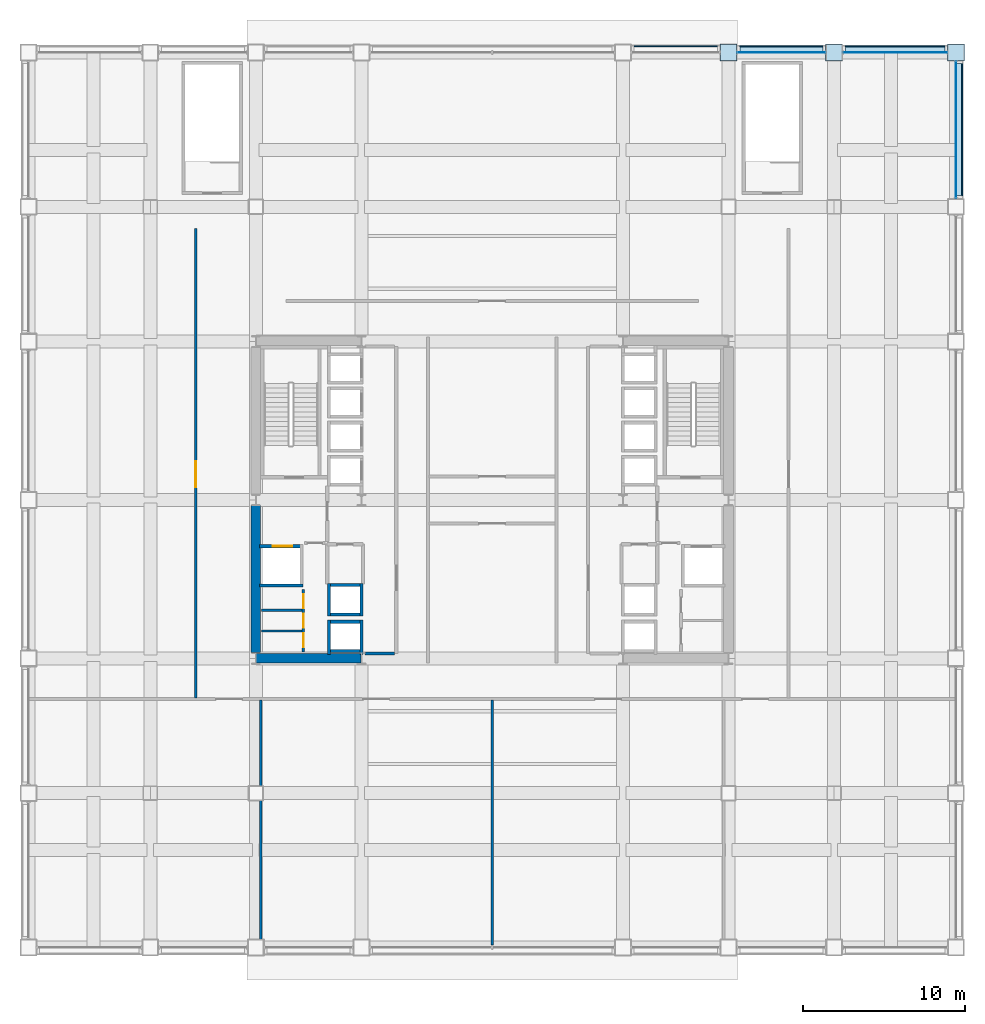
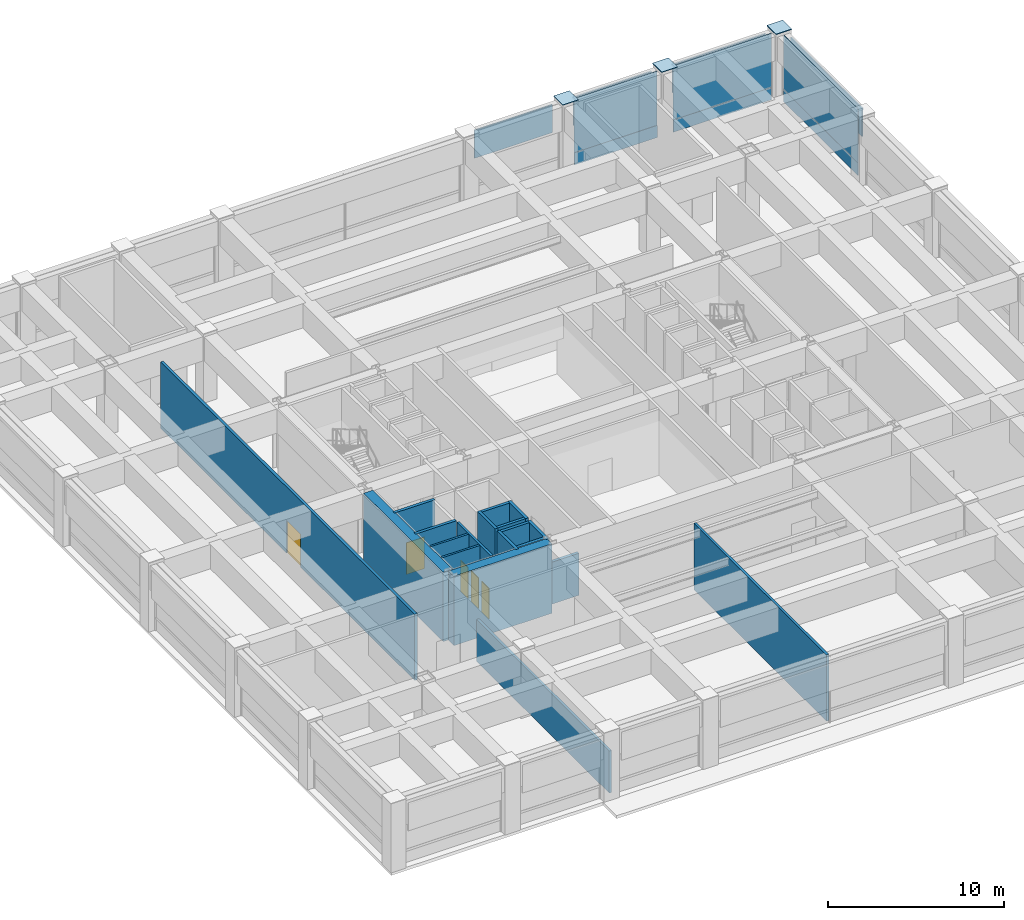
# One storey, part 26 of 30: 19 walls, 16 plates, 5 doors, 5 openings, 3 elements without a shape of their own.
"""IFC4 building model written with IfcOpenShell, lengths in metres."""

from ifc_helpers import new_model, si_unit, direction, frame, frame_2d, origin, origin_2d, place, context, subcontext, project, spatial, rectangle, extrude, material, layer, layer_set, type_object, element, fill, aggregate, save


model = new_model("IFC4")

# Units and contexts
model_context = context("Model", 3, precision=1e-05, world=origin(), true_north=direction((0.0, 1.0)))
body_context = subcontext(model_context, "Body", "Model", "MODEL_VIEW")
ifc_project = project(units=[si_unit("LENGTHUNIT", "METRE"), si_unit("AREAUNIT", "SQUARE_METRE"), si_unit("VOLUMEUNIT", "CUBIC_METRE"), si_unit("PLANEANGLEUNIT", "RADIAN"), si_unit("MASSUNIT", "GRAM", prefix="KILO")], contexts=[model_context])

# Site, building, storey
site_placement = place(None, origin())
site = spatial("IfcSite", under=ifc_project, at=site_placement, CompositionType="ELEMENT")
building_placement = place(site_placement, origin())
building = spatial("IfcBuilding", under=site, at=building_placement, Name="Brelmoor Portico Tower", CompositionType="ELEMENT")
storey_placement = place(building_placement, frame((0.0, 0.0, 19.199951171875)))
storey = spatial("IfcBuildingStorey", under=building, at=storey_placement, Name="L04", CompositionType="ELEMENT", Elevation=19.199951171875)

# Plates
ifc_material_1 = material(Name="Steel Q355B", Category="steel")
ifc_layer_1 = layer(ifc_material_1, 0.044921875)
ifc_layer_set_1 = layer_set([ifc_layer_1], Name="Steel Q355B")
plate_type_1 = type_object("IfcPlateType", Name="PT-CAP-650", PredefinedType="SHEET", material=ifc_layer_set_1)
for number, where, z_axis, x_axis, name in (
    (1, (14.550048828125, 27.550048828125, 4.800048828125), (0.0, 0.0, 1.0), (1.0, 0.0, 0.0), "L04 Perimeter Mega-Column PN14 Welded Head Cap Plate"),
    (2, (21.050048828125, 27.550048828125, 4.800048828125), (0.0, 0.0, 1.0), (1.0, 0.0, 0.0), "L04 Perimeter Mega-Column PN15 Welded Head Cap Plate"),
    (3, (28.550048828125, 27.550048828125, 4.800048828125), (0.0, 0.0, 1.0), (1.0, 0.0, 0.0), "L04 Perimeter Mega-Column PN16 Welded Head Cap Plate"),
):
    element("IfcPlate", number, at=place(storey_placement, frame(where, z_axis=z_axis, x_axis=x_axis)), inside=storey, type_object=plate_type_1, Name=name, PredefinedType="SHEET", context=body_context, shape_type="SweptSolid", body=[
        extrude(rectangle(XDim=1.0400390625, YDim=1.0400390625, at=origin_2d()), origin(), (0.0, 0.0, 1.0), 0.0400390625),
    ])

# Curtain wall, plate
ifc_material_2 = material(Name="Anodised Aluminium Alloy 6063-T6", Category="aluminium")
ifc_layer_2 = layer(ifc_material_2, 0.179931640625)
ifc_layer_set_2 = layer_set([ifc_layer_2], Name="Anodised Aluminium Alloy 6063-T6")
curtain_wall_type = type_object("IfcCurtainWallType", Name="CW-PODIUM-ARCH", PredefinedType="NOTDEFINED", material=ifc_layer_set_2)
curtain_wall_1_placement = place(storey_placement, origin())
curtain_wall_1 = element("IfcCurtainWall", 4, at=curtain_wall_1_placement, inside=storey, type_object=curtain_wall_type, Name="L04 Curtain Wall CW-L04-02-6", PredefinedType="NOTDEFINED")
ifc_material_3 = material(Name="Double-Silver Low-E Insulated Glazing", Category="glass")
ifc_layer_3 = layer(ifc_material_3, 0.035888671875)
ifc_layer_set_3 = layer_set([ifc_layer_3], Name="Double-Silver Low-E Insulated Glazing")
plate_type_2 = type_object("IfcPlateType", Name="PT-CW-GLASS", PredefinedType="CURTAIN_PANEL", material=ifc_layer_set_3)
plate_1_placement = place(storey_placement, frame((17.800048828125, 27.550048828125, 0.85009765625), z_axis=(0.0, 0.0, 1.0), x_axis=(1.0, 0.0, 0.0)))
plate_1 = element("IfcPlate", 5, at=plate_1_placement, type_object=plate_type_2, Name="CW-L04-02-6 Vision Glass Panel 00", PredefinedType="CURTAIN_PANEL", context=body_context, shape_type="SweptSolid", body=[
    extrude(rectangle(XDim=5.449951171875, YDim=0.035888671875, at=origin_2d()), origin(), (0.0, 0.0, 1.0), 3.75),
])

curtain_wall_2_placement = place(storey_placement, origin())
curtain_wall_2 = element("IfcCurtainWall", 6, at=curtain_wall_2_placement, inside=storey, type_object=curtain_wall_type, Name="L04 Curtain Wall CW-L04-02-7", PredefinedType="NOTDEFINED")
plate_2_placement = place(storey_placement, frame((24.800048828125, 27.550048828125, 0.85009765625), z_axis=(0.0, 0.0, 1.0), x_axis=(1.0, 0.0, 0.0)))
plate_2 = element("IfcPlate", 7, at=plate_2_placement, type_object=plate_type_2, Name="CW-L04-02-7 Vision Glass Panel 00", PredefinedType="CURTAIN_PANEL", context=body_context, shape_type="SweptSolid", body=[
    extrude(rectangle(XDim=6.449951171875, YDim=0.035888671875, at=origin_2d()), origin(), (0.0, 0.0, 1.0), 3.75),
])

curtain_wall_3_placement = place(storey_placement, origin())
curtain_wall_3 = element("IfcCurtainWall", 8, at=curtain_wall_3_placement, inside=storey, type_object=curtain_wall_type, Name="L04 Curtain Wall CW-L04-04-6", PredefinedType="NOTDEFINED")
plate_3_placement = place(storey_placement, frame((28.550048828125, 22.800048828125, 0.85009765625), z_axis=(0.0, 0.0, 1.0), x_axis=(0.0, 1.0, 0.0)))
plate_3 = element("IfcPlate", 9, at=plate_3_placement, type_object=plate_type_2, Name="CW-L04-04-6 Vision Glass Panel 00", PredefinedType="CURTAIN_PANEL", context=body_context, shape_type="SweptSolid", body=[
    extrude(rectangle(XDim=8.449951171875, YDim=0.035888671875, at=origin_2d()), origin(), (0.0, 0.0, 1.0), 3.75),
])

# Plate
ifc_material_4 = material(Name="Pale Champagne Anodised Aluminium Panel", Category="aluminium")
ifc_layer_4 = layer(ifc_material_4, 0.050048828125)
ifc_layer_set_4 = layer_set([ifc_layer_4], Name="Pale Champagne Anodised Aluminium Panel")
plate_type_3 = type_object("IfcPlateType", Name="PT-CW-SPANDREL", PredefinedType="SHEET", material=ifc_layer_set_4)
plate_4_placement = place(storey_placement, frame((17.800048828125, 27.550048828125, 0.0), z_axis=(0.0, 0.0, 1.0), x_axis=(1.0, 0.0, 0.0)))
plate_4 = element("IfcPlate", 10, at=plate_4_placement, type_object=plate_type_3, Name="CW-L04-02-6 Spandrel Panel 00", PredefinedType="SHEET", context=body_context, shape_type="SweptSolid", body=[
    extrude(rectangle(XDim=5.449951171875, YDim=0.050048828125, at=origin_2d()), origin(), (0.0, 0.0, 1.0), 0.85009765625),
])

aggregate(curtain_wall_1, [plate_4, plate_1])

plate_5_placement = place(storey_placement, frame((24.800048828125, 27.550048828125, 0.0), z_axis=(0.0, 0.0, 1.0), x_axis=(1.0, 0.0, 0.0)))
plate_5 = element("IfcPlate", 11, at=plate_5_placement, type_object=plate_type_3, Name="CW-L04-02-7 Spandrel Panel 00", PredefinedType="SHEET", context=body_context, shape_type="SweptSolid", body=[
    extrude(rectangle(XDim=6.449951171875, YDim=0.050048828125, at=origin_2d()), origin(), (0.0, 0.0, 1.0), 0.85009765625),
])

aggregate(curtain_wall_2, [plate_5, plate_2])

plate_6_placement = place(storey_placement, frame((28.550048828125, 22.800048828125, 0.0), z_axis=(0.0, 0.0, 1.0), x_axis=(0.0, 1.0, 0.0)))
plate_6 = element("IfcPlate", 12, at=plate_6_placement, type_object=plate_type_3, Name="CW-L04-04-6 Spandrel Panel 00", PredefinedType="SHEET", context=body_context, shape_type="SweptSolid", body=[
    extrude(rectangle(XDim=8.449951171875, YDim=0.050048828125, at=origin_2d()), origin(), (0.0, 0.0, 1.0), 0.85009765625),
])

aggregate(curtain_wall_3, [plate_6, plate_3])

# Plates
ifc_material_5 = material(Name="Powder-Coated Aluminium Shuttered Jalousie Louvre", Category="aluminium")
ifc_layer_5 = layer(ifc_material_5, 0.06005859375)
ifc_layer_set_5 = layer_set([ifc_layer_5], Name="Powder-Coated Aluminium Shuttered Jalousie Louvre")
plate_type_4 = type_object("IfcPlateType", Name="PT-JALOUSIE-SHUTTER", PredefinedType="SHEET", material=ifc_layer_set_5)
for number, where, z_axis, x_axis, name in (
    (13, (11.300048828125, 27.929931640625, 2.4501953125), (0.0, 0.0, 1.0), (1.0, 0.0, 0.0), "CW-L04-02-5 Perforated Jalousie Solar Screen"),
    (14, (17.800048828125, 27.929931640625, 2.4501953125), (0.0, 0.0, 1.0), (1.0, 0.0, 0.0), "CW-L04-02-6 Perforated Jalousie Solar Screen"),
):
    element("IfcPlate", number, at=place(storey_placement, frame(where, z_axis=z_axis, x_axis=x_axis)), inside=storey, type_object=plate_type_4, Name=name, PredefinedType="SHEET", context=body_context, shape_type="SweptSolid", body=[
        extrude(rectangle(XDim=5.1201171875, YDim=0.06494140625, at=origin_2d()), origin(), (0.0, 0.0, 1.0), 1.949951171875),
    ])
plate_7_placement = place(storey_placement, frame((24.800048828125, 27.929931640625, 2.4501953125), z_axis=(0.0, 0.0, 1.0), x_axis=(1.0, 0.0, 0.0)))
element("IfcPlate", 15, at=plate_7_placement, inside=storey, type_object=plate_type_4, Name="CW-L04-02-7 Perforated Jalousie Solar Screen", PredefinedType="SHEET", context=body_context, shape_type="SweptSolid", body=[
    extrude(rectangle(XDim=6.1201171875, YDim=0.06494140625, at=origin_2d()), origin(), (0.0, 0.0, 1.0), 1.949951171875),
])
plate_8_placement = place(storey_placement, frame((28.929931640625, 22.800048828125, 2.4501953125), z_axis=(0.0, 0.0, 1.0), x_axis=(0.0, 1.0, 0.0)))
element("IfcPlate", 16, at=plate_8_placement, inside=storey, type_object=plate_type_4, Name="CW-L04-04-6 Perforated Jalousie Solar Screen", PredefinedType="SHEET", context=body_context, shape_type="SweptSolid", body=[
    extrude(rectangle(XDim=8.1201171875, YDim=0.06494140625, at=origin_2d()), origin(), (0.0, 0.0, 1.0), 1.949951171875),
])
ifc_material_6 = material(Name="Pale Champagne Perforated Aluminium Solar Screen", Category="aluminium")
ifc_layer_6 = layer(ifc_material_6, 0.054931640625)
ifc_layer_set_6 = layer_set([ifc_layer_6], Name="Pale Champagne Perforated Aluminium Solar Screen")
plate_type_5 = type_object("IfcPlateType", Name="PT-SOLAR-LOUVRE", PredefinedType="SHEET", material=ifc_layer_set_6)
plate_9_placement = place(storey_placement, frame((17.800048828125, 27.760009765625, 4.2900390625), z_axis=(0.0, 0.0, 1.0), x_axis=(1.0, 0.0, 0.0)))
element("IfcPlate", 17, at=plate_9_placement, inside=storey, type_object=plate_type_5, Name="CW-L04-02-6 Caribbean Brise-Soleil Solar Screen", PredefinedType="SHEET", context=body_context, shape_type="SweptSolid", body=[
    extrude(rectangle(XDim=5.1201171875, YDim=0.4599609375, at=origin_2d()), origin(), (0.0, 0.0, 1.0), 0.139892578125),
])
plate_10_placement = place(storey_placement, frame((24.800048828125, 27.760009765625, 4.2900390625), z_axis=(0.0, 0.0, 1.0), x_axis=(1.0, 0.0, 0.0)))
element("IfcPlate", 18, at=plate_10_placement, inside=storey, type_object=plate_type_5, Name="CW-L04-02-7 Caribbean Brise-Soleil Solar Screen", PredefinedType="SHEET", context=body_context, shape_type="SweptSolid", body=[
    extrude(rectangle(XDim=6.1201171875, YDim=0.4599609375, at=origin_2d()), origin(), (0.0, 0.0, 1.0), 0.139892578125),
])
plate_11_placement = place(storey_placement, frame((28.760009765625, 22.800048828125, 4.2900390625), z_axis=(0.0, 0.0, 1.0), x_axis=(0.0, 1.0, 0.0)))
element("IfcPlate", 19, at=plate_11_placement, inside=storey, type_object=plate_type_5, Name="CW-L04-04-6 Caribbean Brise-Soleil Solar Screen", PredefinedType="SHEET", context=body_context, shape_type="SweptSolid", body=[
    extrude(rectangle(XDim=8.1201171875, YDim=0.4599609375, at=origin_2d()), origin(), (0.0, 0.0, 1.0), 0.139892578125),
])

# Walls
ifc_material_7 = material(Name="Concrete C60", Category="concrete")
ifc_layer_7 = layer(ifc_material_7, 0.60009765625)
ifc_layer_set_7 = layer_set([ifc_layer_7], Name="Concrete C60")
wall_type_1 = type_object("IfcWallType", Name="WL-CORE-600", PredefinedType="SHEAR", material=ifc_layer_set_7)
wall_1_placement = place(storey_placement, frame((-14.530029296875, -9.75, -0.219970703125), z_axis=(0.0, 0.0, 1.0), x_axis=(1.0, 0.0, 0.0)))
element("IfcWall", 20, at=wall_1_placement, inside=storey, type_object=wall_type_1, Name="L04 WC South Shear Wall", PredefinedType="SHEAR", context=body_context, shape_type="SweptSolid", body=[
    extrude(rectangle(XDim=6.4599609375, YDim=0.60009765625, at=frame_2d((3.22998046875, 0.0))), origin(), (0.0, 0.0, 1.0), 4.820068359375),
])
wall_2_placement = place(storey_placement, frame((-14.550048828125, -9.39990234375, -0.219970703125), z_axis=(0.0, 0.0, 1.0), x_axis=(0.0, 1.0, 0.0)))
element("IfcWall", 21, at=wall_2_placement, inside=storey, type_object=wall_type_1, Name="L04 WC Outer South Shear Wall", PredefinedType="SHEAR", context=body_context, shape_type="SweptSolid", body=[
    extrude(rectangle(XDim=9.0498046875, YDim=0.60009765625, at=frame_2d((4.52490234375, 0.0))), origin(), (0.0, 0.0, 1.0), 4.820068359375),
])
ifc_material_8 = material(Name="Insulated Stud Suite Partition", Category="gypsum")
ifc_layer_8 = layer(ifc_material_8, 0.139892578125)
ifc_layer_set_8 = layer_set([ifc_layer_8], Name="Insulated Stud Suite Partition")
wall_type_2 = type_object("IfcWallType", Name="WL-PART-140", PredefinedType="PARTITIONING", material=ifc_layer_set_8)
for number, where, z_axis, x_axis, name in (
    (22, (-11.699951171875, -8.066650390625, 0.0), (0.0, 0.0, 1.0), (-1.0, 0.0, 0.0), "L04 W Core WC Divider 1"),
    (23, (-11.699951171875, -6.783203125, 0.0), (0.0, 0.0, 1.0), (-1.0, 0.0, 0.0), "L04 W Core WC Divider 2"),
):
    element("IfcWall", number, at=place(storey_placement, frame(where, z_axis=z_axis, x_axis=x_axis)), inside=storey, type_object=wall_type_2, Name=name, PredefinedType="PARTITIONING", context=body_context, shape_type="SweptSolid", body=[
        extrude(rectangle(XDim=2.5, YDim=0.139892578125, at=frame_2d((1.25, 0.0))), origin(), (0.0, 0.0, 1.0), 4.60009765625),
    ])

# Wall, openings, doors
ifc_material_9 = material(Name="Twin-Frame Acoustic Partition", Category="gypsum")
ifc_layer_9 = layer(ifc_material_9, 0.159912109375)
ifc_layer_set_9 = layer_set([ifc_layer_9], Name="Twin-Frame Acoustic Partition")
wall_type_3 = type_object("IfcWallType", Name="WL-PART-160", PredefinedType="PARTITIONING", material=ifc_layer_set_9)
wall_3_placement = place(storey_placement, frame((-11.6201171875, -9.35009765625, 0.0), z_axis=(0.0, 0.0, 1.0), x_axis=(0.0, 1.0, 0.0)))
wall_3 = element("IfcWall", 24, at=wall_3_placement, inside=storey, type_object=wall_type_3, Name="L04 W Core Service Front Wall", PredefinedType="PARTITIONING", context=body_context, shape_type="SweptSolid", body=[
    extrude(rectangle(XDim=3.85009765625, YDim=0.159912109375, at=frame_2d((1.925048828125, 0.0))), origin(), (0.0, 0.0, 1.0), 4.60009765625),
])
opening_1_placement = place(wall_3_placement, frame((0.300048828125, 0.0, 0.0)))
opening_1 = element("IfcOpeningElement", 25, at=opening_1_placement, cuts=wall_3, Name="Opening D-WC1", PredefinedType="OPENING", context=body_context, shape_type="SweptSolid", body=[
    extrude(rectangle(XDim=0.85009765625, YDim=2.1201171875, at=frame_2d((0.425048828125, 1.06005859375))), frame((0.0, 0.08984375, 0.0), z_axis=(0.0, -1.0, 0.0), x_axis=(1.0, 0.0, 0.0)), (0.0, 0.0, 1.0), 0.179931640625),
])
opening_2_placement = place(wall_3_placement, frame((1.5, 0.0, 0.0)))
opening_2 = element("IfcOpeningElement", 26, at=opening_2_placement, cuts=wall_3, Name="Opening D-WC1", PredefinedType="OPENING", context=body_context, shape_type="SweptSolid", body=[
    extrude(rectangle(XDim=0.85009765625, YDim=2.1201171875, at=frame_2d((0.425048828125, 1.06005859375))), frame((0.0, 0.08984375, 0.0), z_axis=(0.0, -1.0, 0.0), x_axis=(1.0, 0.0, 0.0)), (0.0, 0.0, 1.0), 0.179931640625),
])
opening_3_placement = place(wall_3_placement, frame((2.699951171875, 0.0, 0.0)))
opening_3 = element("IfcOpeningElement", 27, at=opening_3_placement, cuts=wall_3, Name="Opening D-WC1", PredefinedType="OPENING", context=body_context, shape_type="SweptSolid", body=[
    extrude(rectangle(XDim=0.85009765625, YDim=2.1201171875, at=frame_2d((0.425048828125, 1.06005859375))), frame((0.0, 0.08984375, 0.0), z_axis=(0.0, -1.0, 0.0), x_axis=(1.0, 0.0, 0.0)), (0.0, 0.0, 1.0), 0.179931640625),
])
ifc_material_10 = material(Name="Moisture-Resistant Laminate WC Door", Category="timber")
door_type_1 = type_object("IfcDoorType", Name="DR-WC-850", OperationType="NOTDEFINED", PredefinedType="DOOR", material=ifc_material_10)
door_1_placement = place(opening_1_placement, origin())
door_1 = element("IfcDoor", 28, at=door_1_placement, inside=storey, type_object=door_type_1, Name="D-0209 L04 W Accessible WC Door", OperationType="SINGLE_SWING_RIGHT", OverallHeight=2.1201171875, OverallWidth=0.85009765625, PredefinedType="DOOR", context=body_context, shape_type="SweptSolid", body=[
    extrude(rectangle(XDim=0.85009765625, YDim=2.1201171875, at=frame_2d((0.425048828125, 1.06005859375))), frame((0.0, 0.02490234375, 0.0), z_axis=(0.0, -1.0, 0.0), x_axis=(1.0, 0.0, 0.0)), (0.0, 0.0, 1.0), 0.050048828125),
])
fill(opening_1, door_1)
door_2_placement = place(opening_2_placement, origin())
door_2 = element("IfcDoor", 29, at=door_2_placement, inside=storey, type_object=door_type_1, Name="D-0210 L04 W Staff WC Door", OperationType="SINGLE_SWING_LEFT", OverallHeight=2.1201171875, OverallWidth=0.85009765625, PredefinedType="DOOR", context=body_context, shape_type="SweptSolid", body=[
    extrude(rectangle(XDim=0.85009765625, YDim=2.1201171875, at=frame_2d((0.425048828125, 1.06005859375))), frame((0.0, 0.02490234375, 0.0), z_axis=(0.0, -1.0, 0.0), x_axis=(1.0, 0.0, 0.0)), (0.0, 0.0, 1.0), 0.050048828125),
])
fill(opening_2, door_2)
door_3_placement = place(opening_3_placement, origin())
door_3 = element("IfcDoor", 30, at=door_3_placement, inside=storey, type_object=door_type_1, Name="D-0211 L04 W Cleaner Store Door", OperationType="SINGLE_SWING_RIGHT", OverallHeight=2.1201171875, OverallWidth=0.85009765625, PredefinedType="DOOR", context=body_context, shape_type="SweptSolid", body=[
    extrude(rectangle(XDim=0.85009765625, YDim=2.1201171875, at=frame_2d((0.425048828125, 1.06005859375))), frame((0.0, 0.02490234375, 0.0), z_axis=(0.0, -1.0, 0.0), x_axis=(1.0, 0.0, 0.0)), (0.0, 0.0, 1.0), 0.050048828125),
])
fill(opening_3, door_3)

# Walls
wall_4_placement = place(storey_placement, frame((-14.260009765625, -27.39990234375, 0.0), z_axis=(0.0, 0.0, 1.0), x_axis=(0.0, 1.0, 0.0)))
element("IfcWall", 31, at=wall_4_placement, inside=storey, type_object=wall_type_3, Name="L04 South Bridge Divider 1", PredefinedType="PARTITIONING", context=body_context, shape_type="SweptSolid", body=[
    extrude(rectangle(XDim=15.079833984375, YDim=0.159912109375, at=frame_2d((7.5400390625, 0.0))), origin(), (0.0, 0.0, 1.0), 2.920166015625),
])
wall_5_placement = place(storey_placement, frame((0.0, -27.39990234375, 0.0), z_axis=(0.0, 0.0, 1.0), x_axis=(0.0, 1.0, 0.0)))
element("IfcWall", 32, at=wall_5_placement, inside=storey, type_object=wall_type_3, Name="L04 South Bridge Divider 2", PredefinedType="PARTITIONING", context=body_context, shape_type="SweptSolid", body=[
    extrude(rectangle(XDim=15.079833984375, YDim=0.159912109375, at=frame_2d((7.5400390625, 0.0))), origin(), (0.0, 0.0, 1.0), 4.60009765625),
])

# Wall, opening, door
ifc_material_11 = material(Name="Acoustic Corridor Fire Partition", Category="gypsum")
ifc_layer_10 = layer(ifc_material_11, 0.179931640625)
ifc_layer_set_10 = layer_set([ifc_layer_10], Name="Acoustic Corridor Fire Partition")
wall_type_4 = type_object("IfcWallType", Name="WL-PART-180", PredefinedType="PARTITIONING", material=ifc_layer_set_10)
wall_6_placement = place(storey_placement, frame((-18.25, -12.199951171875, 0.0), z_axis=(0.0, 0.0, 1.0), x_axis=(0.0, 1.0, 0.0)))
wall_6 = element("IfcWall", 33, at=wall_6_placement, inside=storey, type_object=wall_type_4, Name="L04 W Bridge Wing Wall", PredefinedType="PARTITIONING", context=body_context, shape_type="SweptSolid", body=[
    extrude(rectangle(XDim=28.89990234375, YDim=0.179931640625, at=frame_2d((14.449951171875, 0.0))), origin(), (0.0, 0.0, 1.0), 4.60009765625),
])
opening_4_placement = place(wall_6_placement, frame((13.0, 0.0, 0.0)))
opening_4 = element("IfcOpeningElement", 34, at=opening_4_placement, cuts=wall_6, Name="Opening D-PB1", PredefinedType="OPENING", context=body_context, shape_type="SweptSolid", body=[
    extrude(rectangle(XDim=1.60009765625, YDim=2.300048828125, at=frame_2d((0.800048828125, 1.14990234375))), frame((0.0, 0.099853515625, 0.0), z_axis=(0.0, -1.0, 0.0), x_axis=(1.0, 0.0, 0.0)), (0.0, 0.0, 1.0), 0.199951171875),
])
ifc_material_12 = material(Name="Double-Leaf Anodised Aluminium Hall Door", Category="aluminium")
door_type_2 = type_object("IfcDoorType", Name="DR-PUBLIC-1600", OperationType="NOTDEFINED", PredefinedType="DOOR", material=ifc_material_12)
door_4_placement = place(opening_4_placement, origin())
door_4 = element("IfcDoor", 35, at=door_4_placement, inside=storey, type_object=door_type_2, Name="D-0204 L04 W Engineering Studio Door", OperationType="DOUBLE_DOOR_SINGLE_SWING", OverallHeight=2.300048828125, OverallWidth=1.60009765625, PredefinedType="DOOR", context=body_context, shape_type="SweptSolid", body=[
    extrude(rectangle(XDim=1.60009765625, YDim=2.300048828125, at=frame_2d((0.800048828125, 1.14990234375))), frame((0.0, 0.02490234375, 0.0), z_axis=(0.0, -1.0, 0.0), x_axis=(1.0, 0.0, 0.0)), (0.0, 0.0, 1.0), 0.050048828125),
])
fill(opening_4, door_4)

# Walls
ifc_material_13 = material(Name="Double-Stud Gypsum Fire Partition", Category="gypsum")
ifc_layer_11 = layer(ifc_material_13, 0.199951171875)
ifc_layer_set_11 = layer_set([ifc_layer_11], Name="Double-Stud Gypsum Fire Partition")
wall_type_5 = type_object("IfcWallType", Name="WL-PART-200", PredefinedType="PARTITIONING", material=ifc_layer_set_11)
wall_7_placement = place(storey_placement, frame((-6.02001953125, -9.449951171875, 0.0), z_axis=(0.0, 0.0, 1.0), x_axis=(-1.0, 0.0, 0.0)))
element("IfcWall", 36, at=wall_7_placement, inside=storey, type_object=wall_type_5, Name="L04 W Lift Lobby South End Wall", PredefinedType="PARTITIONING", context=body_context, shape_type="SweptSolid", body=[
    extrude(rectangle(XDim=1.800048828125, YDim=0.199951171875, at=frame_2d((0.89990234375, 0.0))), origin(), (0.0, 0.0, 1.0), 2.920166015625),
])
ifc_material_14 = material(Name="Precast Concrete C40", Category="concrete")
ifc_layer_12 = layer(ifc_material_14, 0.18994140625)
ifc_layer_set_12 = layer_set([ifc_layer_12], Name="Precast Concrete C40")
wall_type_6 = type_object("IfcWallType", Name="WL-SHAFT-180", PredefinedType="SOLIDWALL", material=ifc_layer_set_12)
for number, where, z_axis, x_axis, name in (
    (37, (-8.044921875, -9.52001953125, -0.219970703125), (0.0, 0.0, 1.0), (0.0, 1.0, 0.0), "L04 Lift PH1 Hoistway Front Wall"),
    (38, (-10.054931640625, -9.52001953125, -0.219970703125), (0.0, 0.0, 1.0), (0.0, 1.0, 0.0), "L04 Lift PH1 Hoistway Back Wall"),
):
    element("IfcWall", number, at=place(storey_placement, frame(where, z_axis=z_axis, x_axis=x_axis)), inside=storey, type_object=wall_type_6, Name=name, PredefinedType="SOLIDWALL", context=body_context, shape_type="SweptSolid", body=[
        extrude(rectangle(XDim=2.1201171875, YDim=0.18994140625, at=frame_2d((1.06005859375, 0.0))), origin(), (0.0, 0.0, 1.0), 4.820068359375),
    ])
for number, where, z_axis, x_axis, name in (
    (39, (-10.14990234375, -7.4951171875, -0.219970703125), (0.0, 0.0, 1.0), (1.0, 0.0, 0.0), "L04 Lift PH1 Hoistway North Wall"),
    (40, (-10.14990234375, -9.304931640625, -0.219970703125), (0.0, 0.0, 1.0), (1.0, 0.0, 0.0), "L04 Lift PH1 Hoistway South Wall"),
):
    element("IfcWall", number, at=place(storey_placement, frame(where, z_axis=z_axis, x_axis=x_axis)), inside=storey, type_object=wall_type_6, Name=name, PredefinedType="SOLIDWALL", context=body_context, shape_type="SweptSolid", body=[
        extrude(rectangle(XDim=2.199951171875, YDim=0.18994140625, at=frame_2d((1.10009765625, 0.0))), origin(), (0.0, 0.0, 1.0), 4.820068359375),
    ])
for number, where, z_axis, x_axis, name in (
    (41, (-8.044921875, -7.14990234375, -0.219970703125), (0.0, 0.0, 1.0), (0.0, 1.0, 0.0), "L04 Lift PH2 Hoistway Front Wall"),
    (42, (-10.054931640625, -7.14990234375, -0.219970703125), (0.0, 0.0, 1.0), (0.0, 1.0, 0.0), "L04 Lift PH2 Hoistway Back Wall"),
):
    element("IfcWall", number, at=place(storey_placement, frame(where, z_axis=z_axis, x_axis=x_axis)), inside=storey, type_object=wall_type_6, Name=name, PredefinedType="SOLIDWALL", context=body_context, shape_type="SweptSolid", body=[
        extrude(rectangle(XDim=2.0, YDim=0.18994140625, at=frame_2d((1.0, 0.0))), origin(), (0.0, 0.0, 1.0), 4.820068359375),
    ])
for number, where, z_axis, x_axis, name in (
    (43, (-10.14990234375, -5.2451171875, -0.219970703125), (0.0, 0.0, 1.0), (1.0, 0.0, 0.0), "L04 Lift PH2 Hoistway North Wall"),
    (44, (-10.14990234375, -7.054931640625, -0.219970703125), (0.0, 0.0, 1.0), (1.0, 0.0, 0.0), "L04 Lift PH2 Hoistway South Wall"),
):
    element("IfcWall", number, at=place(storey_placement, frame(where, z_axis=z_axis, x_axis=x_axis)), inside=storey, type_object=wall_type_6, Name=name, PredefinedType="SOLIDWALL", context=body_context, shape_type="SweptSolid", body=[
        extrude(rectangle(XDim=2.199951171875, YDim=0.18994140625, at=frame_2d((1.10009765625, 0.0))), origin(), (0.0, 0.0, 1.0), 4.820068359375),
    ])

# Wall, opening, door
wall_8_placement = place(storey_placement, frame((-14.330078125, -2.844970703125, -0.219970703125), z_axis=(0.0, 0.0, 1.0), x_axis=(1.0, 0.0, 0.0)))
wall_8 = element("IfcWall", 45, at=wall_8_placement, inside=storey, type_object=wall_type_6, Name="L04 Lift FF1 Hoistway Front Wall", PredefinedType="SOLIDWALL", context=body_context, shape_type="SweptSolid", body=[
    extrude(rectangle(XDim=2.68017578125, YDim=0.18994140625, at=frame_2d((1.340087890625, 0.0))), origin(), (0.0, 0.0, 1.0), 4.820068359375),
])
opening_5_placement = place(wall_8_placement, frame((0.830078125, 0.0, 0.219970703125)))
opening_5 = element("IfcOpeningElement", 46, at=opening_5_placement, cuts=wall_8, Name="Opening LD-02", PredefinedType="OPENING", context=body_context, shape_type="SweptSolid", body=[
    extrude(rectangle(XDim=1.199951171875, YDim=2.199951171875, at=frame_2d((0.60009765625, 1.10009765625))), frame((0.0, 0.10498046875, 0.0), z_axis=(0.0, -1.0, 0.0), x_axis=(1.0, 0.0, 0.0)), (0.0, 0.0, 1.0), 0.2099609375),
])
ifc_material_15 = material(Name="Brushed Stainless Steel Firefighting Lift Door", Category="steel")
door_type_3 = type_object("IfcDoorType", Name="DR-LIFT-1200", OperationType="NOTDEFINED", PredefinedType="DOOR", material=ifc_material_15)
door_5_placement = place(opening_5_placement, origin())
door_5 = element("IfcDoor", 47, at=door_5_placement, inside=storey, type_object=door_type_3, Name="D-0222 L04 Lift FF1 Sliding Landing Door", OperationType="SLIDING_TO_LEFT", OverallHeight=2.199951171875, OverallWidth=1.199951171875, PredefinedType="DOOR", context=body_context, shape_type="SweptSolid", body=[
    extrude(rectangle(XDim=1.199951171875, YDim=2.199951171875, at=frame_2d((0.60009765625, 1.10009765625))), frame((0.0, 0.02490234375, 0.0), z_axis=(0.0, -1.0, 0.0), x_axis=(1.0, 0.0, 0.0)), (0.0, 0.0, 1.0), 0.050048828125),
])
fill(opening_5, door_5)

# Wall
wall_9_placement = place(storey_placement, frame((-14.330078125, -5.2548828125, -0.219970703125), z_axis=(0.0, 0.0, 1.0), x_axis=(1.0, 0.0, 0.0)))
element("IfcWall", 48, at=wall_9_placement, inside=storey, type_object=wall_type_6, Name="L04 Firefighting Lift FF1 South Wall", PredefinedType="SOLIDWALL", context=body_context, shape_type="SweptSolid", body=[
    extrude(rectangle(XDim=2.68017578125, YDim=0.18994140625, at=frame_2d((1.340087890625, 0.0))), origin(), (0.0, 0.0, 1.0), 4.820068359375),
])

save(model, "model.ifc")
